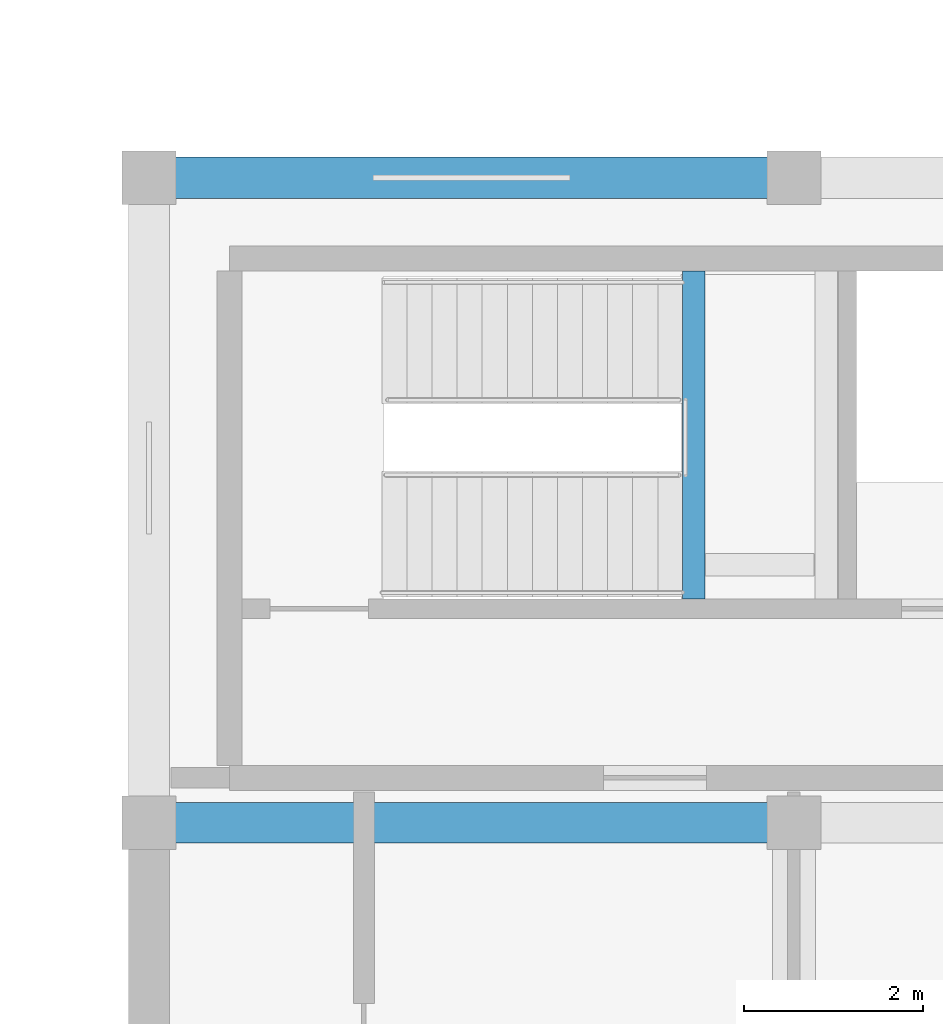
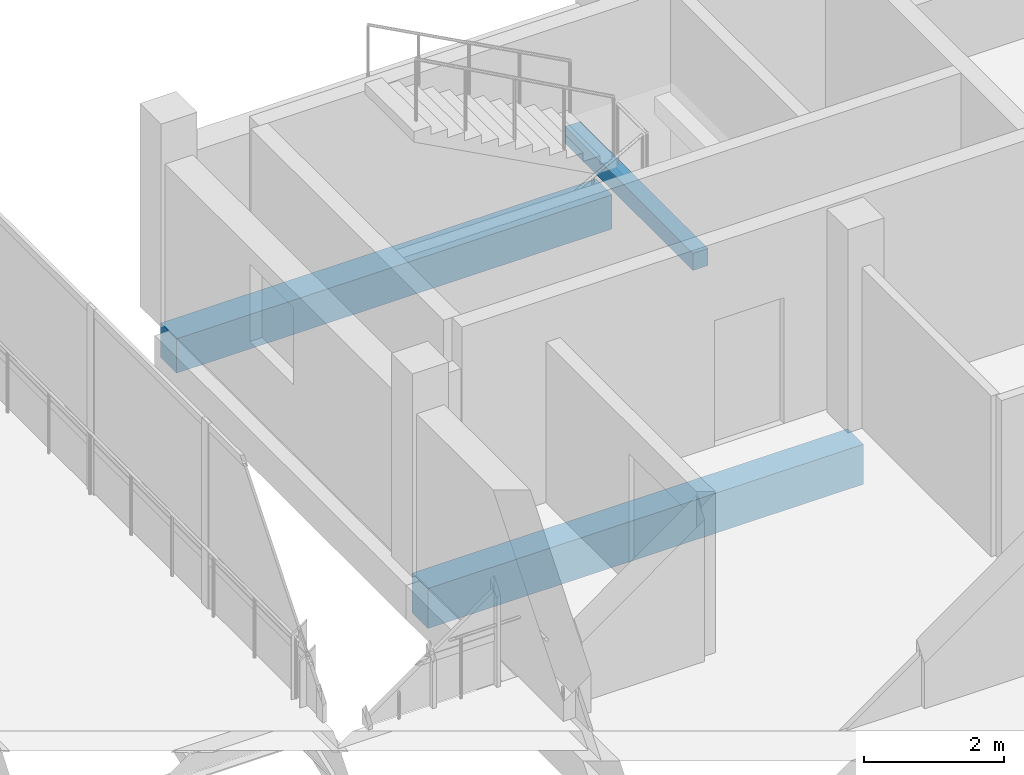
# One storey, part 22 of 128: 3 beams.
"""IFC4 building model written with IfcOpenShell, lengths in metres."""

import ifcopenshell
import ifcopenshell.guid

model = None  # the IFC model being written
_history = None  # IfcOwnerHistory: only IFC2X3 demands one
_inside = {}  # id of a spatial element -> (the spatial element, [elements in it])
_under = {}  # id of a project, library or spatial element -> (it, [spatial elements below it])
_declared = {}  # id of a project -> (the project, [libraries it declares])
_typed = {}  # id of a type object -> (the type object, [elements of that type])
_made_of = {}  # id of a material, layer set ... -> (it, [elements and type objects made of it])


def new_model(schema):
    """Start an empty IFC model of exactly this schema.

    Asked for "IFC4X3", IfcOpenShell would pick the latest addendum, in which some entities
    have other attributes; the version numbers below select the first issue.
    IFC2X3 requires an IfcOwnerHistory on every rooted entity: one is made here for all.
    """
    global model, _history
    if schema == "IFC4X3":
        model = ifcopenshell.file(schema_version=(4, 3, 0, 0))
    else:
        model = ifcopenshell.file(schema=schema)
    _inside.clear()
    _under.clear()
    _declared.clear()
    _typed.clear()
    _made_of.clear()
    _history = None
    if model.schema == "IFC2X3":
        org = make("IfcOrganization", Name="unknown")
        user = make(
            "IfcPersonAndOrganization",
            ThePerson=make("IfcPerson", FamilyName="unknown"),
            TheOrganization=org,
        )
        app = make(
            "IfcApplication",
            ApplicationDeveloper=org,
            Version="unknown",
            ApplicationFullName="unknown",
            ApplicationIdentifier="unknown",
        )
        _history = make(
            "IfcOwnerHistory",
            OwningUser=user,
            OwningApplication=app,
            ChangeAction="ADDED",
            CreationDate=0,
        )
    return model


def make(cls, **values):
    """One entity of the class cls with the attributes given. An attribute that is None is left unset."""
    return model.create_entity(
        cls, **{name: value for name, value in values.items() if value is not None}
    )


def rooted(cls, **values):
    """An entity with a GlobalId (a new one), such as an element, a storey or a relation."""
    return make(cls, GlobalId=ifcopenshell.guid.new(), OwnerHistory=_history, **values)


def si_unit(unit_type, name, prefix=None):
    """IfcSIUnit, for example si_unit("LENGTHUNIT", "METRE", prefix="MILLI")."""
    return make("IfcSIUnit", UnitType=unit_type, Prefix=prefix, Name=name)


def assignment(units):
    """IfcUnitAssignment: the units of a project."""
    return None if units is None else make("IfcUnitAssignment", Units=units)


def point(xyz):
    """IfcCartesianPoint."""
    return None if xyz is None else make("IfcCartesianPoint", Coordinates=xyz)


def direction(xyz):
    """IfcDirection."""
    return None if xyz is None else make("IfcDirection", DirectionRatios=xyz)


def frame(location, z_axis=None, x_axis=None):
    """IfcAxis2Placement3D, a coordinate frame: its origin and axes. An axis left out is left unset."""
    return make(
        "IfcAxis2Placement3D",
        Location=point(location),
        Axis=direction(z_axis),
        RefDirection=direction(x_axis),
    )


def frame_2d(location, x_axis=None):
    """IfcAxis2Placement2D, a coordinate frame in the plane: its origin and x axis."""
    return make(
        "IfcAxis2Placement2D", Location=point(location), RefDirection=direction(x_axis)
    )


def origin():
    """The frame at (0, 0, 0) with its axes left unset."""
    return frame((0.0, 0.0, 0.0))


def origin_2d():
    """The frame at (0, 0) in the plane with its x axis left unset."""
    return frame_2d((0.0, 0.0))


def place(relative_to, where):
    """IfcLocalPlacement: puts the frame where relative to a parent placement (None: the world)."""
    return make(
        "IfcLocalPlacement", PlacementRelTo=relative_to, RelativePlacement=where
    )


def context(
    kind, dimensions, precision=None, world=None, true_north=None, identifier=None
):
    """IfcGeometricRepresentationContext, for example the 3D "Model" context."""
    return make(
        "IfcGeometricRepresentationContext",
        ContextIdentifier=identifier,
        ContextType=kind,
        CoordinateSpaceDimension=dimensions,
        Precision=precision,
        WorldCoordinateSystem=world,
        TrueNorth=true_north,
    )


def subcontext(parent, identifier, kind, view, scale=None):
    """IfcGeometricRepresentationSubContext, for example "Body" below "Model"."""
    return make(
        "IfcGeometricRepresentationSubContext",
        ContextIdentifier=identifier,
        ContextType=kind,
        ParentContext=parent,
        TargetScale=scale,
        TargetView=view,
    )


def project(units=None, contexts=None):
    """IfcProject with its units and contexts."""
    return rooted(
        "IfcProject",
        Name="project",
        RepresentationContexts=contexts,
        UnitsInContext=assignment(units),
    )


def spatial(cls, under=None, at=None, **own):
    """A site, building, storey or space (cls), placed at a placement, below another one or the project."""
    s = rooted(cls, ObjectPlacement=at, **own)
    if under is not None:
        _under.setdefault(under.id(), (under, []))[1].append(s)
    return s


def profile(cls, at=None, kind="AREA", **sizes):
    """A parametric profile (cls). Its sizes go by their IFC names, for example OverallWidth=200.0."""
    return make(cls, ProfileType=kind, Position=at, **sizes)


def rectangle(**sizes):
    """IfcRectangleProfileDef."""
    return profile("IfcRectangleProfileDef", **sizes)


def extrude(swept, where, along, depth):
    """IfcExtrudedAreaSolid: the profile swept, set in the frame where, extruded along a direction by depth."""
    return make(
        "IfcExtrudedAreaSolid",
        SweptArea=swept,
        Position=where,
        ExtrudedDirection=direction(along),
        Depth=depth,
    )


def shape(context_of_items, identifier, shape_type, items):
    """IfcShapeRepresentation: the items that make up one representation, for example the "Body"."""
    return make(
        "IfcShapeRepresentation",
        ContextOfItems=context_of_items,
        RepresentationIdentifier=identifier,
        RepresentationType=shape_type,
        Items=items,
    )


def material(Name=None, Category=None):
    """IfcMaterial."""
    return make("IfcMaterial", Name=Name, Category=Category)


def material_profile(
    of_material, cross_section, Name=None, Category=None, Priority=None
):
    """IfcMaterialProfile: a cross section and its material."""
    return make(
        "IfcMaterialProfile",
        Name=Name,
        Material=of_material,
        Profile=cross_section,
        Priority=Priority,
        Category=Category,
    )


def profile_set(profiles, Name=None, composite=None):
    """IfcMaterialProfileSet."""
    return make(
        "IfcMaterialProfileSet",
        Name=Name,
        MaterialProfiles=profiles,
        CompositeProfile=composite,
    )


def made_of(thing, what):
    """Note that an element or type object is made of a material, layer set ...; save() writes the relation."""
    if what is not None:
        _made_of.setdefault(what.id(), (what, []))[1].append(thing)
    return thing


def type_object(cls, material=None, **own):
    """A type object (cls), such as IfcWallType, which elements share."""
    return made_of(rooted(cls, **own), material)


def element(
    cls,
    number,
    at=None,
    inside=None,
    cuts=None,
    type_object=None,
    material=None,
    context=None,
    identifier="Body",
    shape_type=None,
    held_by="IfcProductDefinitionShape",
    body=None,
    shapes=None,
    **own,
):
    """One element of the class cls, such as IfcWall. Its Tag is "e" and its number.

    at: its placement. inside: the storey or other place that contains it. cuts: it is an
    opening in that element (IfcRelVoidsElement). A single representation is given by context,
    identifier, shape_type and body (its items); several are given by shapes. held_by: the class
    of the entity that holds the representations. save() writes the other relations.
    """
    e = rooted(cls, Tag="e%d" % number, ObjectPlacement=at, **own)
    if body is not None:
        shapes = [shape(context, identifier, shape_type, body)]
    if shapes is not None:
        e.Representation = make(held_by, Representations=shapes)
    if inside is not None:
        _inside.setdefault(inside.id(), (inside, []))[1].append(e)
    if cuts is not None:
        rooted(
            "IfcRelVoidsElement", RelatingBuildingElement=cuts, RelatedOpeningElement=e
        )
    if type_object is not None:
        _typed.setdefault(type_object.id(), (type_object, []))[1].append(e)
    return made_of(e, material)


def aggregate(whole, parts):
    """IfcRelAggregates: a whole, such as a stair, and the parts it consists of."""
    return rooted("IfcRelAggregates", RelatingObject=whole, RelatedObjects=parts)


def save(model, path):
    """Write the relations noted so far, then the file.

    IfcRelAggregates (storeys below a building ...), IfcRelContainedInSpatialStructure (elements
    in a storey), IfcRelDefinesByType, IfcRelAssociatesMaterial and IfcRelDeclares: one each for
    every whole, place, type object, material and project.
    """
    for whole, parts in _under.values():
        aggregate(whole, parts)
    for where, things in _inside.values():
        rooted(
            "IfcRelContainedInSpatialStructure",
            RelatedElements=things,
            RelatingStructure=where,
        )
    for kind, things in _typed.values():
        rooted("IfcRelDefinesByType", RelatedObjects=things, RelatingType=kind)
    for what, things in _made_of.values():
        rooted("IfcRelAssociatesMaterial", RelatedObjects=things, RelatingMaterial=what)
    for by, libraries in _declared.values():
        rooted("IfcRelDeclares", RelatingContext=by, RelatedDefinitions=libraries)
    model.write(path)


model = new_model("IFC4")

# Units and contexts
model_context = context("Model", 3, precision=1e-05, world=origin(), true_north=direction((0.0, 1.0)))
body_context = subcontext(model_context, "Body", "Model", "MODEL_VIEW")
ifc_project = project(units=[si_unit("LENGTHUNIT", "METRE"), si_unit("AREAUNIT", "SQUARE_METRE"), si_unit("VOLUMEUNIT", "CUBIC_METRE"), si_unit("PLANEANGLEUNIT", "RADIAN"), si_unit("MASSUNIT", "GRAM", prefix="KILO")], contexts=[model_context])

# Site, building, storey
site_placement = place(None, origin())
site = spatial("IfcSite", under=ifc_project, at=site_placement, CompositionType="ELEMENT")
building_placement = place(site_placement, origin())
building = spatial("IfcBuilding", under=site, at=building_placement, Name="Zornivar Specialist Clinic", CompositionType="ELEMENT")
storey_placement = place(building_placement, frame((0.0, 0.0, 4.5)))
storey = spatial("IfcBuildingStorey", under=building, at=storey_placement, Name="L01", CompositionType="ELEMENT", Elevation=4.5)

# Beams
ifc_material_1 = material(Name="Concrete C30/37", Category="concrete")
ifc_material_profile_1 = material_profile(ifc_material_1, rectangle(XDim=0.25, YDim=0.300048828125, at=origin_2d()), Name="RC 250x300")
ifc_profile_set_1 = profile_set([ifc_material_profile_1], Name="Concrete C30/37")
beam_type_1 = type_object("IfcBeamType", Name="BM-LAND-250x300", PredefinedType="BEAM", material=ifc_profile_set_1)
beam_1_placement = place(storey_placement, frame((63.679931640625, 16.89990234375, 1.6201171875), z_axis=(0.0, 1.0, 0.0), x_axis=(-1.0, 0.0, 0.0)))
element("IfcBeam", 1, at=beam_1_placement, inside=storey, type_object=beam_type_1, Name="bm:stair:C5:L01:lW", PredefinedType="BEAM", context=body_context, shape_type="SweptSolid", body=[
    extrude(rectangle(XDim=0.25, YDim=0.300048828125, at=origin_2d()), origin(), (0.0, 0.0, 1.0), 3.66015625),
])
ifc_material_2 = material(Name="Concrete C30/37", Category="concrete")
ifc_material_profile_2 = material_profile(ifc_material_2, rectangle(XDim=0.449951171875, YDim=0.699951171875, at=origin_2d()), Name="RC 450x700")
ifc_profile_set_2 = profile_set([ifc_material_profile_2], Name="Concrete C30/37")
beam_type_2 = type_object("IfcBeamType", Name="BM-RC-450x700", PredefinedType="BEAM", material=ifc_profile_set_2)
beam_2_placement = place(storey_placement, frame((57.60009765625, 14.39990234375, -0.699951171875), z_axis=(1.0, 0.0, 0.0), x_axis=(0.0, 1.0, 0.0)))
element("IfcBeam", 2, at=beam_2_placement, inside=storey, type_object=beam_type_2, Name="bm:V3:L01:x:144:0", PredefinedType="BEAM", context=body_context, shape_type="SweptSolid", body=[
    extrude(rectangle(XDim=0.449951171875, YDim=0.699951171875, at=origin_2d()), origin(), (0.0, 0.0, 1.0), 7.199951171875),
])
ifc_material_3 = material(Name="Concrete C30/37", Category="concrete")
ifc_material_profile_3 = material_profile(ifc_material_3, rectangle(XDim=0.4599609375, YDim=0.60009765625, at=origin_2d()), Name="RC 460x600")
ifc_profile_set_3 = profile_set([ifc_material_profile_3], Name="Concrete C30/37")
beam_type_3 = type_object("IfcBeamType", Name="BM-RC-SPANDREL-460x600", PredefinedType="SPANDREL", material=ifc_profile_set_3)
beam_3_placement = place(storey_placement, frame((57.60009765625, 21.60009765625, -0.64990234375), z_axis=(1.0, 0.0, 0.0), x_axis=(0.0, 1.0, 0.0)))
element("IfcBeam", 3, at=beam_3_placement, inside=storey, type_object=beam_type_3, Name="bm:V3:L01:x:216:0", PredefinedType="SPANDREL", context=body_context, shape_type="SweptSolid", body=[
    extrude(rectangle(XDim=0.4599609375, YDim=0.60009765625, at=origin_2d()), origin(), (0.0, 0.0, 1.0), 7.199951171875),
])

save(model, "model.ifc")
